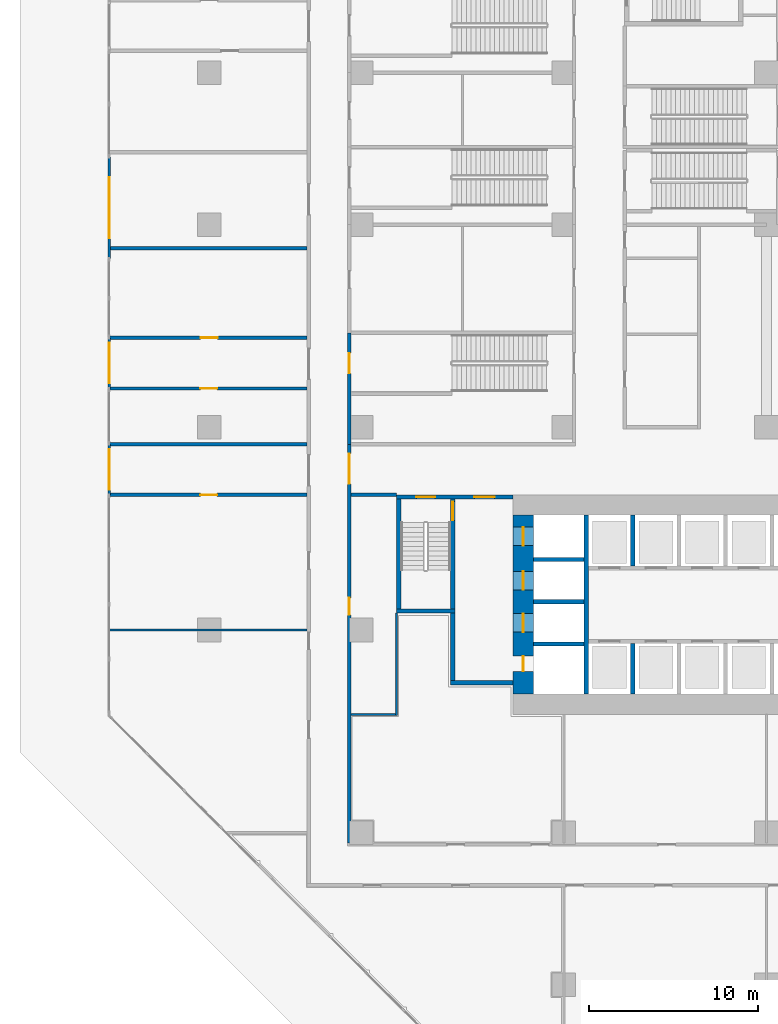
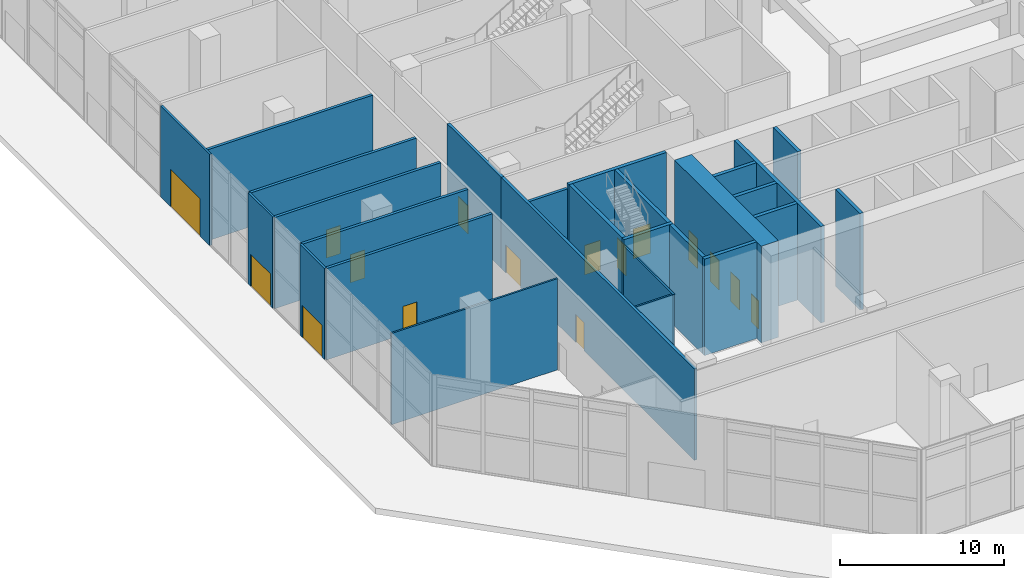
# One storey, part 18 of 34: 27 walls, 16 doors, 16 openings.
"""IFC4 building model written with IfcOpenShell, lengths in metres."""

from ifc_helpers import new_model, si_unit, direction, frame, frame_2d, origin, place, context, subcontext, project, spatial, rectangle, extrude, material, layer, layer_set, type_object, element, fill, save


model = new_model("IFC4")

# Units and contexts
model_context = context("Model", 3, precision=1e-05, world=origin(), true_north=direction((0.0, 1.0)))
body_context = subcontext(model_context, "Body", "Model", "MODEL_VIEW")
ifc_project = project(units=[si_unit("LENGTHUNIT", "METRE"), si_unit("AREAUNIT", "SQUARE_METRE"), si_unit("VOLUMEUNIT", "CUBIC_METRE"), si_unit("PLANEANGLEUNIT", "RADIAN"), si_unit("MASSUNIT", "GRAM", prefix="KILO")], contexts=[model_context])

# Site, building, storey
site_placement = place(None, origin())
site = spatial("IfcSite", under=ifc_project, at=site_placement, CompositionType="ELEMENT")
building_placement = place(site_placement, origin())
building = spatial("IfcBuilding", under=site, at=building_placement, Name="Chenar Terraces", CompositionType="ELEMENT")
storey_placement = place(building_placement, origin())
storey = spatial("IfcBuildingStorey", under=building, at=storey_placement, Name="L00", CompositionType="ELEMENT", Elevation=0.0)

# Walls
ifc_material_1 = material(Name="Gypsum board on steel studs with mineral wool", Category="steel")
ifc_layer_1 = layer(ifc_material_1, 0.125)
ifc_layer_set_1 = layer_set([ifc_layer_1], Name="Gypsum board on steel studs with mineral wool")
wall_type_1 = type_object("IfcWallType", Name="Acoustic partition 125", PredefinedType="PARTITIONING", material=ifc_layer_set_1)
wall_1_placement = place(storey_placement, frame((-14.925048828125, 12.0, 0.0), z_axis=(0.0, 0.0, 1.0), x_axis=(1.0, 0.0, 0.0)))
element("IfcWall", 1, at=wall_1_placement, inside=storey, type_object=wall_type_1, Name="Partition L00-001", PredefinedType="PARTITIONING", context=body_context, shape_type="SweptSolid", body=[
    extrude(rectangle(XDim=11.72509765625, YDim=0.125, at=frame_2d((5.862548828125, 0.0))), origin(), (0.0, 0.0, 1.0), 6.800048828125),
])
wall_2_placement = place(storey_placement, frame((-0.60009765625, 7.0, 0.0), z_axis=(0.0, 0.0, 1.0), x_axis=(1.0, 0.0, 0.0)))
element("IfcWall", 2, at=wall_2_placement, inside=storey, type_object=wall_type_1, Name="Partition L00-029", PredefinedType="PARTITIONING", context=body_context, shape_type="SweptSolid", body=[
    extrude(rectangle(XDim=2.63818359375, YDim=0.125, at=frame_2d((1.319091796875, 0.0))), origin(), (0.0, 0.0, 1.0), 6.800048828125),
])
wall_3_placement = place(storey_placement, frame((2.10009765625, 6.93798828125, 0.0), z_axis=(0.0, 0.0, 1.0), x_axis=(0.0, 1.0, 0.0)))
element("IfcWall", 3, at=wall_3_placement, inside=storey, type_object=wall_type_1, Name="Partition L00-041", PredefinedType="PARTITIONING", context=body_context, shape_type="SweptSolid", body=[
    extrude(rectangle(XDim=6.06201171875, YDim=0.125, at=frame_2d((3.031005859375, 0.0))), origin(), (0.0, 0.0, 1.0), 6.800048828125),
])

# Wall, openings, doors
ifc_material_2 = material(Name="Concrete C70/85", Category="concrete")
ifc_layer_2 = layer(ifc_material_2, 1.199951171875)
ifc_layer_set_2 = layer_set([ifc_layer_2], Name="Concrete C70/85")
wall_type_2 = type_object("IfcWallType", Name="Core wall 1200 Concrete C70/85", PredefinedType="SHEAR", material=ifc_layer_set_2)
wall_4_placement = place(storey_placement, frame((9.60009765625, 8.199951171875, 0.0), z_axis=(0.0, 0.0, 1.0), x_axis=(0.0, 1.0, 0.0)))
wall_4 = element("IfcWall", 4, at=wall_4_placement, inside=storey, type_object=wall_type_2, Name="Core wall W L00", PredefinedType="SHEAR", context=body_context, shape_type="SweptSolid", body=[
    extrude(rectangle(XDim=10.60009765625, YDim=1.199951171875, at=frame_2d((5.300048828125, 0.0))), origin(), (0.0, 0.0, 1.0), 7.199951171875),
])
opening_1_placement = place(wall_4_placement, frame((3.675048828125, 0.0, 0.0)))
opening_1 = element("IfcOpeningElement", 5, at=opening_1_placement, cuts=wall_4, Name="Opening DL00-LD13", PredefinedType="OPENING", context=body_context, shape_type="SweptSolid", body=[
    extrude(rectangle(XDim=1.10009765625, YDim=2.199951171875, at=frame_2d((0.550048828125, 1.10009765625))), frame((0.0, 0.60986328125, 0.0), z_axis=(0.0, -1.0, 0.0), x_axis=(1.0, 0.0, 0.0)), (0.0, 0.0, 1.0), 1.219970703125),
])
opening_2_placement = place(wall_4_placement, frame((6.175048828125, 0.0, 0.0)))
opening_2 = element("IfcOpeningElement", 6, at=opening_2_placement, cuts=wall_4, Name="Opening DL00-LD14", PredefinedType="OPENING", context=body_context, shape_type="SweptSolid", body=[
    extrude(rectangle(XDim=1.10009765625, YDim=2.199951171875, at=frame_2d((0.550048828125, 1.10009765625))), frame((0.0, 0.60986328125, 0.0), z_axis=(0.0, -1.0, 0.0), x_axis=(1.0, 0.0, 0.0)), (0.0, 0.0, 1.0), 1.219970703125),
])
opening_3_placement = place(wall_4_placement, frame((8.800048828125, 0.0, 0.0)))
opening_3 = element("IfcOpeningElement", 7, at=opening_3_placement, cuts=wall_4, Name="Opening DL00-LD15", PredefinedType="OPENING", context=body_context, shape_type="SweptSolid", body=[
    extrude(rectangle(XDim=1.10009765625, YDim=2.199951171875, at=frame_2d((0.550048828125, 1.10009765625))), frame((0.0, 0.60986328125, 0.0), z_axis=(0.0, -1.0, 0.0), x_axis=(1.0, 0.0, 0.0)), (0.0, 0.0, 1.0), 1.219970703125),
])
opening_4_placement = place(wall_4_placement, frame((1.35009765625, 0.0, 0.0)))
opening_4 = element("IfcOpeningElement", 8, at=opening_4_placement, cuts=wall_4, Name="Opening DL00-C4", PredefinedType="OPENING", context=body_context, shape_type="SweptSolid", body=[
    extrude(rectangle(XDim=0.89990234375, YDim=2.10009765625, at=frame_2d((0.449951171875, 1.050048828125))), frame((0.0, 0.60986328125, 0.0), z_axis=(0.0, -1.0, 0.0), x_axis=(1.0, 0.0, 0.0)), (0.0, 0.0, 1.0), 1.219970703125),
])
ifc_material_3 = material(Name="Stainless steel", Category="steel")
door_type_1 = type_object("IfcDoorType", Name="Lift landing door 1100 x 2200 sliding", OperationType="DOUBLE_DOOR_SLIDING", PredefinedType="DOOR", material=ifc_material_3)
door_1_placement = place(opening_1_placement, origin())
door_1 = element("IfcDoor", 9, at=door_1_placement, inside=storey, type_object=door_type_1, Name="Landing door S1", OperationType="DOUBLE_DOOR_SLIDING", OverallHeight=2.199951171875, OverallWidth=1.10009765625, PredefinedType="DOOR", context=body_context, shape_type="SweptSolid", body=[
    extrude(rectangle(XDim=1.10009765625, YDim=2.199951171875, at=frame_2d((0.550048828125, 1.10009765625))), frame((0.0, 0.02490234375, 0.0), z_axis=(0.0, -1.0, 0.0), x_axis=(1.0, 0.0, 0.0)), (0.0, 0.0, 1.0), 0.050048828125),
])
fill(opening_1, door_1)
door_2_placement = place(opening_2_placement, origin())
door_2 = element("IfcDoor", 10, at=door_2_placement, inside=storey, type_object=door_type_1, Name="Landing door F1", OperationType="DOUBLE_DOOR_SLIDING", OverallHeight=2.199951171875, OverallWidth=1.10009765625, PredefinedType="DOOR", context=body_context, shape_type="SweptSolid", body=[
    extrude(rectangle(XDim=1.10009765625, YDim=2.199951171875, at=frame_2d((0.550048828125, 1.10009765625))), frame((0.0, 0.02490234375, 0.0), z_axis=(0.0, -1.0, 0.0), x_axis=(1.0, 0.0, 0.0)), (0.0, 0.0, 1.0), 0.050048828125),
])
fill(opening_2, door_2)
door_3_placement = place(opening_3_placement, origin())
door_3 = element("IfcDoor", 11, at=door_3_placement, inside=storey, type_object=door_type_1, Name="Landing door F2", OperationType="DOUBLE_DOOR_SLIDING", OverallHeight=2.199951171875, OverallWidth=1.10009765625, PredefinedType="DOOR", context=body_context, shape_type="SweptSolid", body=[
    extrude(rectangle(XDim=1.10009765625, YDim=2.199951171875, at=frame_2d((0.550048828125, 1.10009765625))), frame((0.0, 0.02490234375, 0.0), z_axis=(0.0, -1.0, 0.0), x_axis=(1.0, 0.0, 0.0)), (0.0, 0.0, 1.0), 0.050048828125),
])
fill(opening_3, door_3)
ifc_material_4 = material(Name="Steel-framed fire-resisting door leaf", Category="steel")
door_type_2 = type_object("IfcDoorType", Name="Riser fire door FD60 900 x 2100", OperationType="SINGLE_SWING_LEFT", PredefinedType="DOOR", material=ifc_material_4)
door_4_placement = place(opening_4_placement, frame((0.89990234375, 0.0, 0.0), z_axis=(0.0, 0.0, 1.0), x_axis=(-1.0, 0.0, 0.0)))
door_4 = element("IfcDoor", 12, at=door_4_placement, inside=storey, type_object=door_type_2, Name="Riser door DL00-C4", OperationType="SINGLE_SWING_RIGHT", OverallHeight=2.10009765625, OverallWidth=0.89990234375, PredefinedType="DOOR", context=body_context, shape_type="SweptSolid", body=[
    extrude(rectangle(XDim=0.89990234375, YDim=2.10009765625, at=frame_2d((0.449951171875, 1.050048828125))), frame((0.0, 0.02490234375, 0.0), z_axis=(0.0, -1.0, 0.0), x_axis=(1.0, 0.0, 0.0)), (0.0, 0.0, 1.0), 0.050048828125),
])
fill(opening_4, door_4)

# Walls
ifc_material_5 = material(Name="Concrete C70/85", Category="concrete")
ifc_layer_3 = layer(ifc_material_5, 0.25)
ifc_layer_set_3 = layer_set([ifc_layer_3], Name="Concrete C70/85")
wall_type_3 = type_object("IfcWallType", Name="Core wall 250 Concrete C70/85", PredefinedType="SHEAR", material=ifc_layer_set_3)
wall_5_placement = place(storey_placement, frame((13.324951171875, 8.199951171875, 0.0), z_axis=(0.0, 0.0, 1.0), x_axis=(0.0, 1.0, 0.0)))
element("IfcWall", 13, at=wall_5_placement, inside=storey, type_object=wall_type_3, Name="Core wall WI L00", PredefinedType="SHEAR", context=body_context, shape_type="SweptSolid", body=[
    extrude(rectangle(XDim=10.60009765625, YDim=0.25, at=frame_2d((5.300048828125, 0.0))), origin(), (0.0, 0.0, 1.0), 7.199951171875),
])
for number, where, z_axis, x_axis, name in (
    (14, (10.199951171875, 11.175048828125, 0.0), (0.0, 0.0, 1.0), (1.0, 0.0, 0.0), "Core wall HW0 L00"),
    (15, (10.199951171875, 13.675048828125, 0.0), (0.0, 0.0, 1.0), (1.0, 0.0, 0.0), "Core wall HW1 L00"),
    (16, (10.199951171875, 16.175048828125, 0.0), (0.0, 0.0, 1.0), (1.0, 0.0, 0.0), "Core wall HW2 L00"),
    (17, (16.074951171875, 8.199951171875, 0.0), (0.0, 0.0, 1.0), (0.0, 1.0, 0.0), "Core wall SS0 L00"),
    (18, (16.074951171875, 15.800048828125, 0.0), (0.0, 0.0, 1.0), (0.0, 1.0, 0.0), "Core wall NS0 L00"),
):
    element("IfcWall", number, at=place(storey_placement, frame(where, z_axis=z_axis, x_axis=x_axis)), inside=storey, type_object=wall_type_3, Name=name, PredefinedType="SHEAR", context=body_context, shape_type="SweptSolid", body=[
        extrude(rectangle(XDim=3.0, YDim=0.25, at=frame_2d((1.5, 0.0))), origin(), (0.0, 0.0, 1.0), 7.199951171875),
    ])

# Wall, openings, doors
wall_6_placement = place(storey_placement, frame((2.10009765625, 19.875, 0.0), z_axis=(0.0, 0.0, 1.0), x_axis=(1.0, 0.0, 0.0)))
wall_6 = element("IfcWall", 19, at=wall_6_placement, inside=storey, type_object=wall_type_3, Name="Core wall A_N L00", PredefinedType="SHEAR", context=body_context, shape_type="SweptSolid", body=[
    extrude(rectangle(XDim=6.89990234375, YDim=0.25, at=frame_2d((3.449951171875, 0.0))), origin(), (0.0, 0.0, 1.0), 7.199951171875),
])
opening_5_placement = place(wall_6_placement, frame((1.175048828125, 0.0, 0.0)))
opening_5 = element("IfcOpeningElement", 20, at=opening_5_placement, cuts=wall_6, Name="Opening DL00-C5", PredefinedType="OPENING", context=body_context, shape_type="SweptSolid", body=[
    extrude(rectangle(XDim=1.10009765625, YDim=2.199951171875, at=frame_2d((0.550048828125, 1.10009765625))), frame((0.0, 0.135009765625, 0.0), z_axis=(0.0, -1.0, 0.0), x_axis=(1.0, 0.0, 0.0)), (0.0, 0.0, 1.0), 0.27001953125),
])
opening_6_placement = place(wall_6_placement, frame((4.60009765625, 0.0, 0.0)))
opening_6 = element("IfcOpeningElement", 21, at=opening_6_placement, cuts=wall_6, Name="Opening DL00-C6", PredefinedType="OPENING", context=body_context, shape_type="SweptSolid", body=[
    extrude(rectangle(XDim=1.199951171875, YDim=2.199951171875, at=frame_2d((0.60009765625, 1.10009765625))), frame((0.0, 0.135009765625, 0.0), z_axis=(0.0, -1.0, 0.0), x_axis=(1.0, 0.0, 0.0)), (0.0, 0.0, 1.0), 0.27001953125),
])
ifc_material_6 = material(Name="Steel-framed fire-resisting door leaf", Category="steel")
door_type_3 = type_object("IfcDoorType", Name="Lobby fire door FD60 1200 x 2200", OperationType="SINGLE_SWING_LEFT", PredefinedType="DOOR", material=ifc_material_6)
door_5_placement = place(opening_6_placement, frame((1.199951171875, 0.0, 0.0), z_axis=(0.0, 0.0, 1.0), x_axis=(-1.0, 0.0, 0.0)))
door_5 = element("IfcDoor", 22, at=door_5_placement, inside=storey, type_object=door_type_3, Name="Core door DL00-C6", OperationType="SINGLE_SWING_LEFT", OverallHeight=2.199951171875, OverallWidth=1.199951171875, PredefinedType="DOOR", context=body_context, shape_type="SweptSolid", body=[
    extrude(rectangle(XDim=1.199951171875, YDim=2.199951171875, at=frame_2d((0.60009765625, 1.10009765625))), frame((0.0, 0.02490234375, 0.0), z_axis=(0.0, -1.0, 0.0), x_axis=(1.0, 0.0, 0.0)), (0.0, 0.0, 1.0), 0.050048828125),
])
fill(opening_6, door_5)
ifc_material_7 = material(Name="Steel-framed fire-resisting door leaf", Category="steel")
door_type_4 = type_object("IfcDoorType", Name="Stair fire door FD60 1100 x 2200", OperationType="SINGLE_SWING_LEFT", PredefinedType="DOOR", material=ifc_material_7)
door_6_placement = place(opening_5_placement, origin())
door_6 = element("IfcDoor", 23, at=door_6_placement, inside=storey, type_object=door_type_4, Name="Stair door DL00-C5", OperationType="SINGLE_SWING_LEFT", OverallHeight=2.199951171875, OverallWidth=1.10009765625, PredefinedType="DOOR", context=body_context, shape_type="SweptSolid", body=[
    extrude(rectangle(XDim=1.10009765625, YDim=2.199951171875, at=frame_2d((0.550048828125, 1.10009765625))), frame((0.0, 0.02490234375, 0.0), z_axis=(0.0, -1.0, 0.0), x_axis=(1.0, 0.0, 0.0)), (0.0, 0.0, 1.0), 0.050048828125),
])
fill(opening_5, door_6)

# Walls
wall_7_placement = place(storey_placement, frame((2.10009765625, 13.125, 0.0), z_axis=(0.0, 0.0, 1.0), x_axis=(1.0, 0.0, 0.0)))
element("IfcWall", 24, at=wall_7_placement, inside=storey, type_object=wall_type_3, Name="Core wall ST1_S L00", PredefinedType="SHEAR", context=body_context, shape_type="SweptSolid", body=[
    extrude(rectangle(XDim=3.449951171875, YDim=0.25, at=frame_2d((1.72509765625, 0.0))), origin(), (0.0, 0.0, 1.0), 7.199951171875),
])
wall_8_placement = place(storey_placement, frame((2.22509765625, 13.25, 0.0), z_axis=(0.0, 0.0, 1.0), x_axis=(0.0, 1.0, 0.0)))
element("IfcWall", 25, at=wall_8_placement, inside=storey, type_object=wall_type_3, Name="Core wall ST1_W L00", PredefinedType="SHEAR", context=body_context, shape_type="SweptSolid", body=[
    extrude(rectangle(XDim=6.5, YDim=0.25, at=frame_2d((3.25, 0.0))), origin(), (0.0, 0.0, 1.0), 7.199951171875),
])

# Wall, opening, door
wall_9_placement = place(storey_placement, frame((5.425048828125, 13.25, 0.0), z_axis=(0.0, 0.0, 1.0), x_axis=(0.0, 1.0, 0.0)))
wall_9 = element("IfcWall", 26, at=wall_9_placement, inside=storey, type_object=wall_type_3, Name="Core wall ST1_E L00", PredefinedType="SHEAR", context=body_context, shape_type="SweptSolid", body=[
    extrude(rectangle(XDim=6.5, YDim=0.25, at=frame_2d((3.25, 0.0))), origin(), (0.0, 0.0, 1.0), 7.199951171875),
])
opening_7_placement = place(wall_9_placement, frame((5.25, 0.0, 0.0)))
opening_7 = element("IfcOpeningElement", 27, at=opening_7_placement, cuts=wall_9, Name="Opening DL00-C3", PredefinedType="OPENING", context=body_context, shape_type="SweptSolid", body=[
    extrude(rectangle(XDim=1.10009765625, YDim=2.199951171875, at=frame_2d((0.550048828125, 1.10009765625))), frame((0.0, 0.135009765625, 0.0), z_axis=(0.0, -1.0, 0.0), x_axis=(1.0, 0.0, 0.0)), (0.0, 0.0, 1.0), 0.27001953125),
])
door_7_placement = place(opening_7_placement, origin())
door_7 = element("IfcDoor", 28, at=door_7_placement, inside=storey, type_object=door_type_4, Name="Stair door DL00-C3", OperationType="SINGLE_SWING_RIGHT", OverallHeight=2.199951171875, OverallWidth=1.10009765625, PredefinedType="DOOR", context=body_context, shape_type="SweptSolid", body=[
    extrude(rectangle(XDim=1.10009765625, YDim=2.199951171875, at=frame_2d((0.550048828125, 1.10009765625))), frame((0.0, 0.02490234375, 0.0), z_axis=(0.0, -1.0, 0.0), x_axis=(1.0, 0.0, 0.0)), (0.0, 0.0, 1.0), 0.050048828125),
])
fill(opening_7, door_7)

# Walls
wall_10_placement = place(storey_placement, frame((5.300048828125, 8.875, 0.0), z_axis=(0.0, 0.0, 1.0), x_axis=(1.0, 0.0, 0.0)))
element("IfcWall", 29, at=wall_10_placement, inside=storey, type_object=wall_type_3, Name="Core wall FFL_S L00", PredefinedType="SHEAR", context=body_context, shape_type="SweptSolid", body=[
    extrude(rectangle(XDim=3.699951171875, YDim=0.25, at=frame_2d((1.85009765625, 0.0))), origin(), (0.0, 0.0, 1.0), 7.199951171875),
])
wall_11_placement = place(storey_placement, frame((5.425048828125, 9.0, 0.0), z_axis=(0.0, 0.0, 1.0), x_axis=(0.0, 1.0, 0.0)))
element("IfcWall", 30, at=wall_11_placement, inside=storey, type_object=wall_type_3, Name="Core wall FFL_W L00", PredefinedType="SHEAR", context=body_context, shape_type="SweptSolid", body=[
    extrude(rectangle(XDim=4.0, YDim=0.25, at=frame_2d((2.0, 0.0))), origin(), (0.0, 0.0, 1.0), 7.199951171875),
])

# Wall, opening, door
ifc_material_8 = material(Name="Gypsum board on steel studs with fire boards", Category="steel")
ifc_layer_4 = layer(ifc_material_8, 0.199951171875)
ifc_layer_set_4 = layer_set([ifc_layer_4], Name="Gypsum board on steel studs with fire boards")
wall_type_4 = type_object("IfcWallType", Name="Corridor wall 200", PredefinedType="PARTITIONING", material=ifc_layer_set_4)
wall_12_placement = place(storey_placement, frame((-14.925048828125, 20.0, 0.0), z_axis=(0.0, 0.0, 1.0), x_axis=(1.0, 0.0, 0.0)))
wall_12 = element("IfcWall", 31, at=wall_12_placement, inside=storey, type_object=wall_type_4, Name="Partition L00-002", PredefinedType="PARTITIONING", context=body_context, shape_type="SweptSolid", body=[
    extrude(rectangle(XDim=11.72509765625, YDim=0.199951171875, at=frame_2d((5.862548828125, 0.0))), origin(), (0.0, 0.0, 1.0), 6.800048828125),
])
opening_8_placement = place(wall_12_placement, frame((5.39990234375, 0.0, 0.0)))
opening_8 = element("IfcOpeningElement", 32, at=opening_8_placement, cuts=wall_12, Name="Opening DL00-74", PredefinedType="OPENING", context=body_context, shape_type="SweptSolid", body=[
    extrude(rectangle(XDim=1.0, YDim=2.10009765625, at=frame_2d((0.5, 1.050048828125))), frame((0.0, 0.10986328125, 0.0), z_axis=(0.0, -1.0, 0.0), x_axis=(1.0, 0.0, 0.0)), (0.0, 0.0, 1.0), 0.219970703125),
])
ifc_material_9 = material(Name="Steel-framed fire-resisting door leaf", Category="steel")
door_type_5 = type_object("IfcDoorType", Name="Fire door FD60 1000 x 2100", OperationType="SINGLE_SWING_LEFT", PredefinedType="DOOR", material=ifc_material_9)
door_8_placement = place(opening_8_placement, frame((1.0, 0.0, 0.0), z_axis=(0.0, 0.0, 1.0), x_axis=(-1.0, 0.0, 0.0)))
door_8 = element("IfcDoor", 33, at=door_8_placement, inside=storey, type_object=door_type_5, Name="Door DL00-74", OperationType="SINGLE_SWING_LEFT", OverallHeight=2.10009765625, OverallWidth=1.0, PredefinedType="DOOR", context=body_context, shape_type="SweptSolid", body=[
    extrude(rectangle(XDim=1.0, YDim=2.10009765625, at=frame_2d((0.5, 1.050048828125))), frame((0.0, 0.02490234375, 0.0), z_axis=(0.0, -1.0, 0.0), x_axis=(1.0, 0.0, 0.0)), (0.0, 0.0, 1.0), 0.050048828125),
])
fill(opening_8, door_8)

# Wall
wall_13_placement = place(storey_placement, frame((-14.925048828125, 23.0, 0.0), z_axis=(0.0, 0.0, 1.0), x_axis=(1.0, 0.0, 0.0)))
element("IfcWall", 34, at=wall_13_placement, inside=storey, type_object=wall_type_4, Name="Partition L00-003", PredefinedType="PARTITIONING", context=body_context, shape_type="SweptSolid", body=[
    extrude(rectangle(XDim=11.72509765625, YDim=0.199951171875, at=frame_2d((5.862548828125, 0.0))), origin(), (0.0, 0.0, 1.0), 6.800048828125),
])

# Wall, opening, door
wall_14_placement = place(storey_placement, frame((-14.925048828125, 26.300048828125, 0.0), z_axis=(0.0, 0.0, 1.0), x_axis=(1.0, 0.0, 0.0)))
wall_14 = element("IfcWall", 35, at=wall_14_placement, inside=storey, type_object=wall_type_4, Name="Partition L00-004", PredefinedType="PARTITIONING", context=body_context, shape_type="SweptSolid", body=[
    extrude(rectangle(XDim=11.72509765625, YDim=0.199951171875, at=frame_2d((5.862548828125, 0.0))), origin(), (0.0, 0.0, 1.0), 6.800048828125),
])
opening_9_placement = place(wall_14_placement, frame((5.39990234375, 0.0, 0.0)))
opening_9 = element("IfcOpeningElement", 36, at=opening_9_placement, cuts=wall_14, Name="Opening DL00-76", PredefinedType="OPENING", context=body_context, shape_type="SweptSolid", body=[
    extrude(rectangle(XDim=1.0, YDim=2.10009765625, at=frame_2d((0.5, 1.050048828125))), frame((0.0, 0.10986328125, 0.0), z_axis=(0.0, -1.0, 0.0), x_axis=(1.0, 0.0, 0.0)), (0.0, 0.0, 1.0), 0.219970703125),
])
door_9_placement = place(opening_9_placement, frame((1.0, 0.0, 0.0), z_axis=(0.0, 0.0, 1.0), x_axis=(-1.0, 0.0, 0.0)))
door_9 = element("IfcDoor", 37, at=door_9_placement, inside=storey, type_object=door_type_5, Name="Door DL00-76", OperationType="SINGLE_SWING_LEFT", OverallHeight=2.10009765625, OverallWidth=1.0, PredefinedType="DOOR", context=body_context, shape_type="SweptSolid", body=[
    extrude(rectangle(XDim=1.0, YDim=2.10009765625, at=frame_2d((0.5, 1.050048828125))), frame((0.0, 0.02490234375, 0.0), z_axis=(0.0, -1.0, 0.0), x_axis=(1.0, 0.0, 0.0)), (0.0, 0.0, 1.0), 0.050048828125),
])
fill(opening_9, door_9)

wall_15_placement = place(storey_placement, frame((-14.925048828125, 29.300048828125, 0.0), z_axis=(0.0, 0.0, 1.0), x_axis=(1.0, 0.0, 0.0)))
wall_15 = element("IfcWall", 38, at=wall_15_placement, inside=storey, type_object=wall_type_4, Name="Partition L00-005", PredefinedType="PARTITIONING", context=body_context, shape_type="SweptSolid", body=[
    extrude(rectangle(XDim=11.72509765625, YDim=0.199951171875, at=frame_2d((5.862548828125, 0.0))), origin(), (0.0, 0.0, 1.0), 6.800048828125),
])
opening_10_placement = place(wall_15_placement, frame((5.425048828125, 0.0, 0.0)))
opening_10 = element("IfcOpeningElement", 39, at=opening_10_placement, cuts=wall_15, Name="Opening DL00-77", PredefinedType="OPENING", context=body_context, shape_type="SweptSolid", body=[
    extrude(rectangle(XDim=1.0, YDim=2.10009765625, at=frame_2d((0.5, 1.050048828125))), frame((0.0, 0.10986328125, 0.0), z_axis=(0.0, -1.0, 0.0), x_axis=(1.0, 0.0, 0.0)), (0.0, 0.0, 1.0), 0.219970703125),
])
door_10_placement = place(opening_10_placement, origin())
door_10 = element("IfcDoor", 40, at=door_10_placement, inside=storey, type_object=door_type_5, Name="Door DL00-77", OperationType="SINGLE_SWING_RIGHT", OverallHeight=2.10009765625, OverallWidth=1.0, PredefinedType="DOOR", context=body_context, shape_type="SweptSolid", body=[
    extrude(rectangle(XDim=1.0, YDim=2.10009765625, at=frame_2d((0.5, 1.050048828125))), frame((0.0, 0.02490234375, 0.0), z_axis=(0.0, -1.0, 0.0), x_axis=(1.0, 0.0, 0.0)), (0.0, 0.0, 1.0), 0.050048828125),
])
fill(opening_10, door_10)

# Wall
wall_16_placement = place(storey_placement, frame((-14.85107421875, 34.60009765625, 0.0), z_axis=(0.0, 0.0, 1.0), x_axis=(1.0, 0.0, 0.0)))
element("IfcWall", 41, at=wall_16_placement, inside=storey, type_object=wall_type_4, Name="Partition L00-013", PredefinedType="PARTITIONING", context=body_context, shape_type="SweptSolid", body=[
    extrude(rectangle(XDim=11.651123046875, YDim=0.199951171875, at=frame_2d((5.82568359375, 0.0))), origin(), (0.0, 0.0, 1.0), 6.800048828125),
])

# Wall, openings, doors
wall_17_placement = place(storey_placement, frame((-0.699951171875, -0.60009765625, 0.0), z_axis=(0.0, 0.0, 1.0), x_axis=(0.0, 1.0, 0.0)))
wall_17 = element("IfcWall", 42, at=wall_17_placement, inside=storey, type_object=wall_type_4, Name="Partition L00-020", PredefinedType="PARTITIONING", context=body_context, shape_type="SweptSolid", body=[
    extrude(rectangle(XDim=23.60009765625, YDim=0.199951171875, at=frame_2d((11.800048828125, 0.0))), origin(), (0.0, 0.0, 1.0), 6.800048828125),
])
opening_11_placement = place(wall_17_placement, frame((21.25, 0.0, 0.0)))
opening_11 = element("IfcOpeningElement", 43, at=opening_11_placement, cuts=wall_17, Name="Opening DL00-39", PredefinedType="OPENING", context=body_context, shape_type="SweptSolid", body=[
    extrude(rectangle(XDim=1.800048828125, YDim=2.10009765625, at=frame_2d((0.89990234375, 1.050048828125))), frame((0.0, 0.10986328125, 0.0), z_axis=(0.0, -1.0, 0.0), x_axis=(1.0, 0.0, 0.0)), (0.0, 0.0, 1.0), 0.219970703125),
])
opening_12_placement = place(wall_17_placement, frame((13.5, 0.0, 0.0)))
opening_12 = element("IfcOpeningElement", 44, at=opening_12_placement, cuts=wall_17, Name="Opening DL00-41", PredefinedType="OPENING", context=body_context, shape_type="SweptSolid", body=[
    extrude(rectangle(XDim=1.0, YDim=2.10009765625, at=frame_2d((0.5, 1.050048828125))), frame((0.0, 0.10986328125, 0.0), z_axis=(0.0, -1.0, 0.0), x_axis=(1.0, 0.0, 0.0)), (0.0, 0.0, 1.0), 0.219970703125),
])
door_11_placement = place(opening_12_placement, frame((1.0, 0.0, 0.0), z_axis=(0.0, 0.0, 1.0), x_axis=(-1.0, 0.0, 0.0)))
door_11 = element("IfcDoor", 45, at=door_11_placement, inside=storey, type_object=door_type_5, Name="Door DL00-41", OperationType="SINGLE_SWING_RIGHT", OverallHeight=2.10009765625, OverallWidth=1.0, PredefinedType="DOOR", context=body_context, shape_type="SweptSolid", body=[
    extrude(rectangle(XDim=1.0, YDim=2.10009765625, at=frame_2d((0.5, 1.050048828125))), frame((0.0, 0.02490234375, 0.0), z_axis=(0.0, -1.0, 0.0), x_axis=(1.0, 0.0, 0.0)), (0.0, 0.0, 1.0), 0.050048828125),
])
fill(opening_12, door_11)
ifc_material_10 = material(Name="Steel-framed fire-resisting door leaf", Category="steel")
door_type_6 = type_object("IfcDoorType", Name="Fire double door FD60 1800 x 2100", OperationType="DOUBLE_DOOR_SINGLE_SWING", PredefinedType="DOOR", material=ifc_material_10)
door_12_placement = place(opening_11_placement, origin())
door_12 = element("IfcDoor", 46, at=door_12_placement, inside=storey, type_object=door_type_6, Name="Door DL00-39", OperationType="DOUBLE_DOOR_SINGLE_SWING", OverallHeight=2.10009765625, OverallWidth=1.800048828125, PredefinedType="DOOR", context=body_context, shape_type="SweptSolid", body=[
    extrude(rectangle(XDim=1.800048828125, YDim=2.10009765625, at=frame_2d((0.89990234375, 1.050048828125))), frame((0.0, 0.02490234375, 0.0), z_axis=(0.0, -1.0, 0.0), x_axis=(1.0, 0.0, 0.0)), (0.0, 0.0, 1.0), 0.050048828125),
])
fill(opening_11, door_12)

# Wall
wall_18_placement = place(storey_placement, frame((-0.60009765625, 20.0, 0.0), z_axis=(0.0, 0.0, 1.0), x_axis=(1.0, 0.0, 0.0)))
element("IfcWall", 47, at=wall_18_placement, inside=storey, type_object=wall_type_4, Name="Partition L00-030", PredefinedType="PARTITIONING", context=body_context, shape_type="SweptSolid", body=[
    extrude(rectangle(XDim=2.7001953125, YDim=0.199951171875, at=frame_2d((1.35009765625, 0.0))), origin(), (0.0, 0.0, 1.0), 6.800048828125),
])

# Wall, opening, door
ifc_material_11 = material(Name="Terracotta cladding on insulated backing", Category="masonry")
ifc_layer_5 = layer(ifc_material_11, 0.14990234375)
ifc_layer_set_5 = layer_set([ifc_layer_5], Name="Terracotta cladding on insulated backing")
wall_type_5 = type_object("IfcWallType", Name="Entrance wall 150", PredefinedType="SOLIDWALL", material=ifc_layer_set_5)
wall_19_placement = place(storey_placement, frame((-14.925048828125, 40.0, 0.0), z_axis=(0.0, 0.0, 1.0), x_axis=(0.0, -1.0, 0.0)))
wall_19 = element("IfcWall", 48, at=wall_19_placement, inside=storey, type_object=wall_type_5, Name="Entrance wall", PredefinedType="SOLIDWALL", context=body_context, shape_type="SweptSolid", body=[
    extrude(rectangle(XDim=6.0, YDim=0.14990234375, at=frame_2d((3.0, 0.0))), origin(), (0.0, 0.0, 1.0), 6.800048828125),
])
opening_13_placement = place(wall_19_placement, frame((1.199951171875, 0.0, 0.0)))
opening_13 = element("IfcOpeningElement", 49, at=opening_13_placement, cuts=wall_19, Name="Opening DL00-E4", PredefinedType="OPENING", context=body_context, shape_type="SweptSolid", body=[
    extrude(rectangle(XDim=3.60009765625, YDim=2.800048828125, at=frame_2d((1.800048828125, 1.39990234375))), frame((0.0, 0.0849609375, 0.0), z_axis=(0.0, -1.0, 0.0), x_axis=(1.0, 0.0, 0.0)), (0.0, 0.0, 1.0), 0.169921875),
])
ifc_material_12 = material(Name="Low emissivity double glazing, aluminium frame", Category="aluminium")
door_type_7 = type_object("IfcDoorType", Name="Entrance door set 3600 x 2800", OperationType="DOUBLE_DOOR_SINGLE_SWING", PredefinedType="DOOR", material=ifc_material_12)
door_13_placement = place(opening_13_placement, frame((3.60009765625, 0.0, 0.0), z_axis=(0.0, 0.0, 1.0), x_axis=(-1.0, 0.0, 0.0)))
door_13 = element("IfcDoor", 50, at=door_13_placement, inside=storey, type_object=door_type_7, Name="Entrance door", OperationType="DOUBLE_DOOR_SINGLE_SWING", OverallHeight=2.800048828125, OverallWidth=3.60009765625, PredefinedType="DOOR", context=body_context, shape_type="SweptSolid", body=[
    extrude(rectangle(XDim=3.60009765625, YDim=2.800048828125, at=frame_2d((1.800048828125, 1.39990234375))), frame((0.0, 0.02490234375, 0.0), z_axis=(0.0, -1.0, 0.0), x_axis=(1.0, 0.0, 0.0)), (0.0, 0.0, 1.0), 0.050048828125),
])
fill(opening_13, door_13)

wall_20_placement = place(storey_placement, frame((-14.925048828125, 29.300048828125, 0.0), z_axis=(0.0, 0.0, 1.0), x_axis=(0.0, -1.0, 0.0)))
wall_20 = element("IfcWall", 51, at=wall_20_placement, inside=storey, type_object=wall_type_5, Name="Entrance wall", PredefinedType="SOLIDWALL", context=body_context, shape_type="SweptSolid", body=[
    extrude(rectangle(XDim=3.0, YDim=0.14990234375, at=frame_2d((1.5, 0.0))), origin(), (0.0, 0.0, 1.0), 6.800048828125),
])
opening_14_placement = place(wall_20_placement, frame((0.300048828125, 0.0, 0.0)))
opening_14 = element("IfcOpeningElement", 52, at=opening_14_placement, cuts=wall_20, Name="Opening DL00-X3", PredefinedType="OPENING", context=body_context, shape_type="SweptSolid", body=[
    extrude(rectangle(XDim=2.39990234375, YDim=2.39990234375, at=frame_2d((1.199951171875, 1.199951171875))), frame((0.0, 0.0849609375, 0.0), z_axis=(0.0, -1.0, 0.0), x_axis=(1.0, 0.0, 0.0)), (0.0, 0.0, 1.0), 0.169921875),
])
ifc_material_13 = material(Name="Low emissivity double glazing, aluminium frame", Category="aluminium")
door_type_8 = type_object("IfcDoorType", Name="Exit door set 2400 x 2400", OperationType="DOUBLE_DOOR_SINGLE_SWING", PredefinedType="DOOR", material=ifc_material_13)
door_14_placement = place(opening_14_placement, frame((2.39990234375, 0.0, 0.0), z_axis=(0.0, 0.0, 1.0), x_axis=(-1.0, 0.0, 0.0)))
door_14 = element("IfcDoor", 53, at=door_14_placement, inside=storey, type_object=door_type_8, Name="Exit door", OperationType="DOUBLE_DOOR_SINGLE_SWING", OverallHeight=2.39990234375, OverallWidth=2.39990234375, PredefinedType="DOOR", context=body_context, shape_type="SweptSolid", body=[
    extrude(rectangle(XDim=2.39990234375, YDim=2.39990234375, at=frame_2d((1.199951171875, 1.199951171875))), frame((0.0, 0.02490234375, 0.0), z_axis=(0.0, -1.0, 0.0), x_axis=(1.0, 0.0, 0.0)), (0.0, 0.0, 1.0), 0.050048828125),
])
fill(opening_14, door_14)

wall_21_placement = place(storey_placement, frame((-14.925048828125, 23.0, 0.0), z_axis=(0.0, 0.0, 1.0), x_axis=(0.0, -1.0, 0.0)))
wall_21 = element("IfcWall", 54, at=wall_21_placement, inside=storey, type_object=wall_type_5, Name="Entrance wall", PredefinedType="SOLIDWALL", context=body_context, shape_type="SweptSolid", body=[
    extrude(rectangle(XDim=3.0, YDim=0.14990234375, at=frame_2d((1.5, 0.0))), origin(), (0.0, 0.0, 1.0), 6.800048828125),
])
opening_15_placement = place(wall_21_placement, frame((0.300048828125, 0.0, 0.0)))
opening_15 = element("IfcOpeningElement", 55, at=opening_15_placement, cuts=wall_21, Name="Opening DL00-X4", PredefinedType="OPENING", context=body_context, shape_type="SweptSolid", body=[
    extrude(rectangle(XDim=2.39990234375, YDim=2.39990234375, at=frame_2d((1.199951171875, 1.199951171875))), frame((0.0, 0.0849609375, 0.0), z_axis=(0.0, -1.0, 0.0), x_axis=(1.0, 0.0, 0.0)), (0.0, 0.0, 1.0), 0.169921875),
])
door_15_placement = place(opening_15_placement, frame((2.39990234375, 0.0, 0.0), z_axis=(0.0, 0.0, 1.0), x_axis=(-1.0, 0.0, 0.0)))
door_15 = element("IfcDoor", 56, at=door_15_placement, inside=storey, type_object=door_type_8, Name="Exit door", OperationType="DOUBLE_DOOR_SINGLE_SWING", OverallHeight=2.39990234375, OverallWidth=2.39990234375, PredefinedType="DOOR", context=body_context, shape_type="SweptSolid", body=[
    extrude(rectangle(XDim=2.39990234375, YDim=2.39990234375, at=frame_2d((1.199951171875, 1.199951171875))), frame((0.0, 0.02490234375, 0.0), z_axis=(0.0, -1.0, 0.0), x_axis=(1.0, 0.0, 0.0)), (0.0, 0.0, 1.0), 0.050048828125),
])
fill(opening_15, door_15)

ifc_material_14 = material(Name="Reinforced concrete C40/50", Category="concrete")
ifc_layer_6 = layer(ifc_material_14, 0.199951171875)
ifc_layer_set_6 = layer_set([ifc_layer_6], Name="Reinforced concrete C40/50")
wall_type_6 = type_object("IfcWallType", Name="Stair enclosure wall 200 concrete", PredefinedType="SOLIDWALL", material=ifc_layer_set_6)
wall_22_placement = place(storey_placement, frame((-0.699951171875, 23.0, 0.0), z_axis=(0.0, 0.0, 1.0), x_axis=(0.0, 1.0, 0.0)))
wall_22 = element("IfcWall", 57, at=wall_22_placement, inside=storey, type_object=wall_type_6, Name="Stair enclosure wall L00-021", PredefinedType="SOLIDWALL", context=body_context, shape_type="SweptSolid", body=[
    extrude(rectangle(XDim=6.60009765625, YDim=0.199951171875, at=frame_2d((3.300048828125, 0.0))), origin(), (0.0, 0.0, 1.0), 6.800048828125),
])
opening_16_placement = place(wall_22_placement, frame((4.199951171875, 0.0, 0.0)))
opening_16 = element("IfcOpeningElement", 58, at=opening_16_placement, cuts=wall_22, Name="Opening DL00-92", PredefinedType="OPENING", context=body_context, shape_type="SweptSolid", body=[
    extrude(rectangle(XDim=1.199951171875, YDim=2.10009765625, at=frame_2d((0.60009765625, 1.050048828125))), frame((0.0, 0.10986328125, 0.0), z_axis=(0.0, -1.0, 0.0), x_axis=(1.0, 0.0, 0.0)), (0.0, 0.0, 1.0), 0.219970703125),
])
ifc_material_15 = material(Name="Steel-framed fire-resisting door leaf", Category="steel")
door_type_9 = type_object("IfcDoorType", Name="Fire door FD120 1200 x 2100", OperationType="SINGLE_SWING_LEFT", PredefinedType="DOOR", material=ifc_material_15)
door_16_placement = place(opening_16_placement, frame((1.199951171875, 0.0, 0.0), z_axis=(0.0, 0.0, 1.0), x_axis=(-1.0, 0.0, 0.0)))
door_16 = element("IfcDoor", 59, at=door_16_placement, inside=storey, type_object=door_type_9, Name="Door DL00-92", OperationType="SINGLE_SWING_LEFT", OverallHeight=2.10009765625, OverallWidth=1.199951171875, PredefinedType="DOOR", context=body_context, shape_type="SweptSolid", body=[
    extrude(rectangle(XDim=1.199951171875, YDim=2.10009765625, at=frame_2d((0.60009765625, 1.050048828125))), frame((0.0, 0.02490234375, 0.0), z_axis=(0.0, -1.0, 0.0), x_axis=(1.0, 0.0, 0.0)), (0.0, 0.0, 1.0), 0.050048828125),
])
fill(opening_16, door_16)

save(model, "model.ifc")
